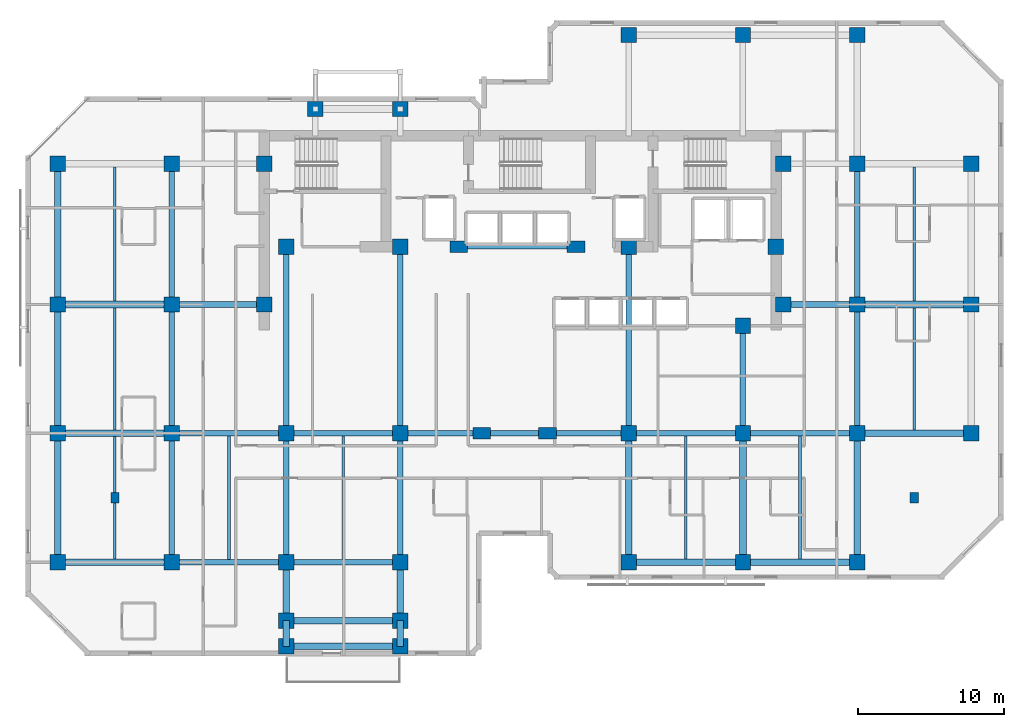
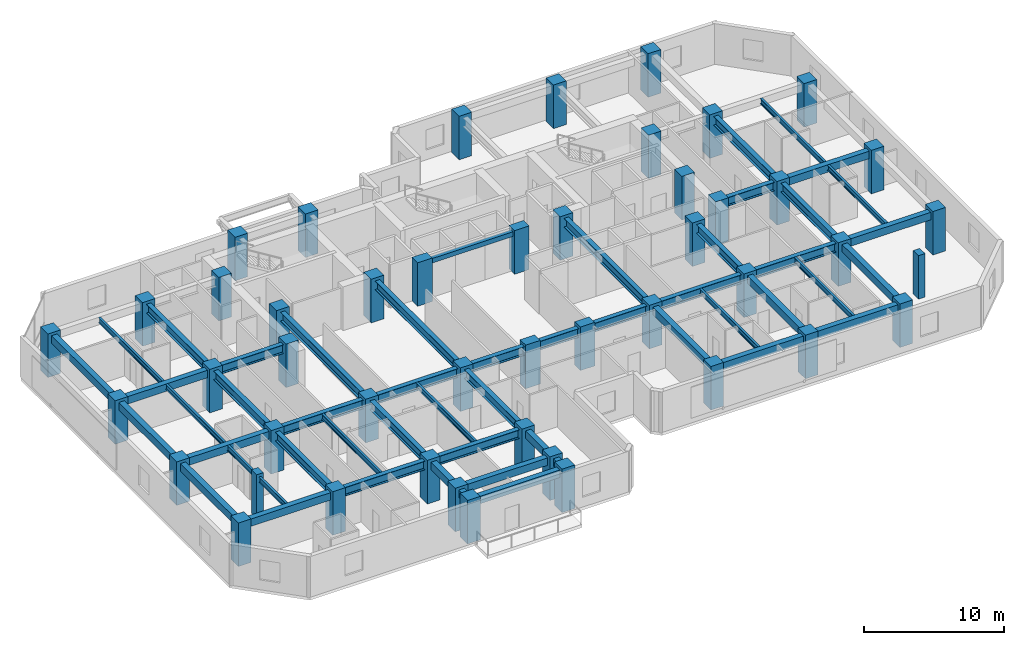
# One storey, part 1 of 11: 51 beams, 47 columns.
"""IFC4 building model written with IfcOpenShell, lengths in metres."""

import ifcopenshell
import ifcopenshell.guid

model = None  # the IFC model being written
_history = None  # IfcOwnerHistory: only IFC2X3 demands one
_inside = {}  # id of a spatial element -> (the spatial element, [elements in it])
_under = {}  # id of a project, library or spatial element -> (it, [spatial elements below it])
_declared = {}  # id of a project -> (the project, [libraries it declares])
_typed = {}  # id of a type object -> (the type object, [elements of that type])
_made_of = {}  # id of a material, layer set ... -> (it, [elements and type objects made of it])


def new_model(schema):
    """Start an empty IFC model of exactly this schema.

    Asked for "IFC4X3", IfcOpenShell would pick the latest addendum, in which some entities
    have other attributes; the version numbers below select the first issue.
    IFC2X3 requires an IfcOwnerHistory on every rooted entity: one is made here for all.
    """
    global model, _history
    if schema == "IFC4X3":
        model = ifcopenshell.file(schema_version=(4, 3, 0, 0))
    else:
        model = ifcopenshell.file(schema=schema)
    _inside.clear()
    _under.clear()
    _declared.clear()
    _typed.clear()
    _made_of.clear()
    _history = None
    if model.schema == "IFC2X3":
        org = make("IfcOrganization", Name="unknown")
        user = make(
            "IfcPersonAndOrganization",
            ThePerson=make("IfcPerson", FamilyName="unknown"),
            TheOrganization=org,
        )
        app = make(
            "IfcApplication",
            ApplicationDeveloper=org,
            Version="unknown",
            ApplicationFullName="unknown",
            ApplicationIdentifier="unknown",
        )
        _history = make(
            "IfcOwnerHistory",
            OwningUser=user,
            OwningApplication=app,
            ChangeAction="ADDED",
            CreationDate=0,
        )
    return model


def make(cls, **values):
    """One entity of the class cls with the attributes given. An attribute that is None is left unset."""
    return model.create_entity(
        cls, **{name: value for name, value in values.items() if value is not None}
    )


def rooted(cls, **values):
    """An entity with a GlobalId (a new one), such as an element, a storey or a relation."""
    return make(cls, GlobalId=ifcopenshell.guid.new(), OwnerHistory=_history, **values)


def si_unit(unit_type, name, prefix=None):
    """IfcSIUnit, for example si_unit("LENGTHUNIT", "METRE", prefix="MILLI")."""
    return make("IfcSIUnit", UnitType=unit_type, Prefix=prefix, Name=name)


def assignment(units):
    """IfcUnitAssignment: the units of a project."""
    return None if units is None else make("IfcUnitAssignment", Units=units)


def point(xyz):
    """IfcCartesianPoint."""
    return None if xyz is None else make("IfcCartesianPoint", Coordinates=xyz)


def direction(xyz):
    """IfcDirection."""
    return None if xyz is None else make("IfcDirection", DirectionRatios=xyz)


def frame(location, z_axis=None, x_axis=None):
    """IfcAxis2Placement3D, a coordinate frame: its origin and axes. An axis left out is left unset."""
    return make(
        "IfcAxis2Placement3D",
        Location=point(location),
        Axis=direction(z_axis),
        RefDirection=direction(x_axis),
    )


def frame_2d(location, x_axis=None):
    """IfcAxis2Placement2D, a coordinate frame in the plane: its origin and x axis."""
    return make(
        "IfcAxis2Placement2D", Location=point(location), RefDirection=direction(x_axis)
    )


def origin():
    """The frame at (0, 0, 0) with its axes left unset."""
    return frame((0.0, 0.0, 0.0))


def origin_2d():
    """The frame at (0, 0) in the plane with its x axis left unset."""
    return frame_2d((0.0, 0.0))


def place(relative_to, where):
    """IfcLocalPlacement: puts the frame where relative to a parent placement (None: the world)."""
    return make(
        "IfcLocalPlacement", PlacementRelTo=relative_to, RelativePlacement=where
    )


def context(
    kind, dimensions, precision=None, world=None, true_north=None, identifier=None
):
    """IfcGeometricRepresentationContext, for example the 3D "Model" context."""
    return make(
        "IfcGeometricRepresentationContext",
        ContextIdentifier=identifier,
        ContextType=kind,
        CoordinateSpaceDimension=dimensions,
        Precision=precision,
        WorldCoordinateSystem=world,
        TrueNorth=true_north,
    )


def subcontext(parent, identifier, kind, view, scale=None):
    """IfcGeometricRepresentationSubContext, for example "Body" below "Model"."""
    return make(
        "IfcGeometricRepresentationSubContext",
        ContextIdentifier=identifier,
        ContextType=kind,
        ParentContext=parent,
        TargetScale=scale,
        TargetView=view,
    )


def project(units=None, contexts=None):
    """IfcProject with its units and contexts."""
    return rooted(
        "IfcProject",
        Name="project",
        RepresentationContexts=contexts,
        UnitsInContext=assignment(units),
    )


def spatial(cls, under=None, at=None, **own):
    """A site, building, storey or space (cls), placed at a placement, below another one or the project."""
    s = rooted(cls, ObjectPlacement=at, **own)
    if under is not None:
        _under.setdefault(under.id(), (under, []))[1].append(s)
    return s


def profile(cls, at=None, kind="AREA", **sizes):
    """A parametric profile (cls). Its sizes go by their IFC names, for example OverallWidth=200.0."""
    return make(cls, ProfileType=kind, Position=at, **sizes)


def rectangle(**sizes):
    """IfcRectangleProfileDef."""
    return profile("IfcRectangleProfileDef", **sizes)


def i_section(**sizes):
    """IfcIShapeProfileDef."""
    return profile("IfcIShapeProfileDef", **sizes)


def extrude(swept, where, along, depth):
    """IfcExtrudedAreaSolid: the profile swept, set in the frame where, extruded along a direction by depth."""
    return make(
        "IfcExtrudedAreaSolid",
        SweptArea=swept,
        Position=where,
        ExtrudedDirection=direction(along),
        Depth=depth,
    )


def shape(context_of_items, identifier, shape_type, items):
    """IfcShapeRepresentation: the items that make up one representation, for example the "Body"."""
    return make(
        "IfcShapeRepresentation",
        ContextOfItems=context_of_items,
        RepresentationIdentifier=identifier,
        RepresentationType=shape_type,
        Items=items,
    )


def material(Name=None, Category=None):
    """IfcMaterial."""
    return make("IfcMaterial", Name=Name, Category=Category)


def material_profile(
    of_material, cross_section, Name=None, Category=None, Priority=None
):
    """IfcMaterialProfile: a cross section and its material."""
    return make(
        "IfcMaterialProfile",
        Name=Name,
        Material=of_material,
        Profile=cross_section,
        Priority=Priority,
        Category=Category,
    )


def profile_set(profiles, Name=None, composite=None):
    """IfcMaterialProfileSet."""
    return make(
        "IfcMaterialProfileSet",
        Name=Name,
        MaterialProfiles=profiles,
        CompositeProfile=composite,
    )


def made_of(thing, what):
    """Note that an element or type object is made of a material, layer set ...; save() writes the relation."""
    if what is not None:
        _made_of.setdefault(what.id(), (what, []))[1].append(thing)
    return thing


def type_object(cls, material=None, **own):
    """A type object (cls), such as IfcWallType, which elements share."""
    return made_of(rooted(cls, **own), material)


def element(
    cls,
    number,
    at=None,
    inside=None,
    cuts=None,
    type_object=None,
    material=None,
    context=None,
    identifier="Body",
    shape_type=None,
    held_by="IfcProductDefinitionShape",
    body=None,
    shapes=None,
    **own,
):
    """One element of the class cls, such as IfcWall. Its Tag is "e" and its number.

    at: its placement. inside: the storey or other place that contains it. cuts: it is an
    opening in that element (IfcRelVoidsElement). A single representation is given by context,
    identifier, shape_type and body (its items); several are given by shapes. held_by: the class
    of the entity that holds the representations. save() writes the other relations.
    """
    e = rooted(cls, Tag="e%d" % number, ObjectPlacement=at, **own)
    if body is not None:
        shapes = [shape(context, identifier, shape_type, body)]
    if shapes is not None:
        e.Representation = make(held_by, Representations=shapes)
    if inside is not None:
        _inside.setdefault(inside.id(), (inside, []))[1].append(e)
    if cuts is not None:
        rooted(
            "IfcRelVoidsElement", RelatingBuildingElement=cuts, RelatedOpeningElement=e
        )
    if type_object is not None:
        _typed.setdefault(type_object.id(), (type_object, []))[1].append(e)
    return made_of(e, material)


def aggregate(whole, parts):
    """IfcRelAggregates: a whole, such as a stair, and the parts it consists of."""
    return rooted("IfcRelAggregates", RelatingObject=whole, RelatedObjects=parts)


def save(model, path):
    """Write the relations noted so far, then the file.

    IfcRelAggregates (storeys below a building ...), IfcRelContainedInSpatialStructure (elements
    in a storey), IfcRelDefinesByType, IfcRelAssociatesMaterial and IfcRelDeclares: one each for
    every whole, place, type object, material and project.
    """
    for whole, parts in _under.values():
        aggregate(whole, parts)
    for where, things in _inside.values():
        rooted(
            "IfcRelContainedInSpatialStructure",
            RelatedElements=things,
            RelatingStructure=where,
        )
    for kind, things in _typed.values():
        rooted("IfcRelDefinesByType", RelatedObjects=things, RelatingType=kind)
    for what, things in _made_of.values():
        rooted("IfcRelAssociatesMaterial", RelatedObjects=things, RelatingMaterial=what)
    for by, libraries in _declared.values():
        rooted("IfcRelDeclares", RelatingContext=by, RelatedDefinitions=libraries)
    model.write(path)


model = new_model("IFC4")

# Units and contexts
model_context = context("Model", 3, precision=1e-05, world=origin(), true_north=direction((0.0, 1.0)))
body_context = subcontext(model_context, "Body", "Model", "MODEL_VIEW")
ifc_project = project(units=[si_unit("LENGTHUNIT", "METRE"), si_unit("AREAUNIT", "SQUARE_METRE"), si_unit("VOLUMEUNIT", "CUBIC_METRE"), si_unit("PLANEANGLEUNIT", "RADIAN"), si_unit("MASSUNIT", "GRAM", prefix="KILO")], contexts=[model_context])

# Site, building, storey
site_placement = place(None, origin())
site = spatial("IfcSite", under=ifc_project, at=site_placement, CompositionType="ELEMENT")
building_placement = place(site_placement, origin())
building = spatial("IfcBuilding", under=site, at=building_placement, Name="Kestravale Grand Hotel", CompositionType="ELEMENT")
storey_placement = place(building_placement, frame((0.0, 0.0, 172.60009765625)))
storey = spatial("IfcBuildingStorey", under=building, at=storey_placement, Name="L43", CompositionType="ELEMENT", Elevation=172.60009765625)

# Columns
ifc_material_1 = material(Name="Concrete f'c 60 MPa", Category="concrete")
ifc_material_profile_1 = material_profile(ifc_material_1, rectangle(XDim=1.050048828125, YDim=1.050048828125, at=origin_2d()))
ifc_profile_set_1 = profile_set([ifc_material_profile_1], Name="Concrete f'c 60 MPa")
column_type_1 = type_object("IfcColumnType", Name="C-Z3-1050", PredefinedType="COLUMN", material=ifc_profile_set_1)
for number, where, z_axis, x_axis, name in (
    (1, (7.800048828125, 11.199951171875, 0.0), (0.0, 0.0, 1.0), (1.0, 0.0, 0.0), "L43 column 2-C"),
    (2, (7.800048828125, 20.0, 0.0), (0.0, 0.0, 1.0), (1.0, 0.0, 0.0), "L43 column 2-D"),
    (3, (7.800048828125, 28.800048828125, 0.0), (0.0, 0.0, 1.0), (1.0, 0.0, 0.0), "L43 column 2-E"),
    (4, (7.800048828125, 38.39990234375, 0.0), (0.0, 0.0, 1.0), (1.0, 0.0, 0.0), "L43 column 2-F"),
    (5, (15.60009765625, 11.199951171875, 0.0), (0.0, 0.0, 1.0), (1.0, 0.0, 0.0), "L43 column 3-C"),
    (6, (15.60009765625, 20.0, 0.0), (0.0, 0.0, 1.0), (1.0, 0.0, 0.0), "L43 column 3-D"),
    (7, (15.60009765625, 28.800048828125, 0.0), (0.0, 0.0, 1.0), (1.0, 0.0, 0.0), "L43 column 3-E"),
    (8, (15.60009765625, 38.39990234375, 0.0), (0.0, 0.0, 1.0), (1.0, 0.0, 0.0), "L43 column 3-F"),
    (9, (23.39990234375, 11.199951171875, 0.0), (0.0, 0.0, 1.0), (1.0, 0.0, 0.0), "L43 column 4-C"),
    (10, (23.39990234375, 20.0, 0.0), (0.0, 0.0, 1.0), (1.0, 0.0, 0.0), "L43 column 4-D"),
    (11, (31.199951171875, 11.199951171875, 0.0), (0.0, 0.0, 1.0), (1.0, 0.0, 0.0), "L43 column 5-C"),
    (12, (31.199951171875, 20.0, 0.0), (0.0, 0.0, 1.0), (1.0, 0.0, 0.0), "L43 column 5-D"),
    (13, (46.800048828125, 11.199951171875, 0.0), (0.0, 0.0, 1.0), (1.0, 0.0, 0.0), "L43 column 8-C"),
    (14, (46.800048828125, 20.0, 0.0), (0.0, 0.0, 1.0), (1.0, 0.0, 0.0), "L43 column 8-D"),
    (15, (46.800048828125, 47.199951171875, 0.0), (0.0, 0.0, 1.0), (1.0, 0.0, 0.0), "L43 column 8-G"),
    (16, (54.60009765625, 11.199951171875, 0.0), (0.0, 0.0, 1.0), (1.0, 0.0, 0.0), "L43 column 9-C"),
    (17, (54.60009765625, 20.0, 0.0), (0.0, 0.0, 1.0), (1.0, 0.0, 0.0), "L43 column 9-D"),
    (18, (54.60009765625, 47.199951171875, 0.0), (0.0, 0.0, 1.0), (1.0, 0.0, 0.0), "L43 column 9-G"),
    (19, (62.39990234375, 11.199951171875, 0.0), (0.0, 0.0, 1.0), (1.0, 0.0, 0.0), "L43 column 10-C"),
    (20, (62.39990234375, 20.0, 0.0), (0.0, 0.0, 1.0), (1.0, 0.0, 0.0), "L43 column 10-D"),
    (21, (62.39990234375, 28.800048828125, 0.0), (0.0, 0.0, 1.0), (1.0, 0.0, 0.0), "L43 column 10-E"),
    (22, (62.39990234375, 38.39990234375, 0.0), (0.0, 0.0, 1.0), (1.0, 0.0, 0.0), "L43 column 10-F"),
    (23, (62.39990234375, 47.199951171875, 0.0), (0.0, 0.0, 1.0), (1.0, 0.0, 0.0), "L43 column 10-G"),
    (24, (70.199951171875, 20.0, 0.0), (0.0, 0.0, 1.0), (1.0, 0.0, 0.0), "L43 column 11-D"),
    (25, (70.199951171875, 28.800048828125, 0.0), (0.0, 0.0, 1.0), (1.0, 0.0, 0.0), "L43 column 11-E"),
    (26, (70.199951171875, 38.39990234375, 0.0), (0.0, 0.0, 1.0), (1.0, 0.0, 0.0), "L43 column 11-F"),
    (27, (21.89990234375, 28.800048828125, 0.0), (0.0, 0.0, 1.0), (1.0, 0.0, 0.0), "L43 column CW-E"),
    (28, (21.89990234375, 38.39990234375, 0.0), (0.0, 0.0, 1.0), (1.0, 0.0, 0.0), "L43 column CW-F"),
    (29, (57.35009765625, 28.800048828125, 0.0), (0.0, 0.0, 1.0), (1.0, 0.0, 0.0), "L43 column CE-E"),
    (30, (57.35009765625, 38.39990234375, 0.0), (0.0, 0.0, 1.0), (1.0, 0.0, 0.0), "L43 column CE-F"),
    (31, (23.39990234375, 32.75, 0.0), (0.0, 0.0, 1.0), (1.0, 0.0, 0.0), "L43 column 4-CS"),
    (32, (31.199951171875, 32.75, 0.0), (0.0, 0.0, 1.0), (1.0, 0.0, 0.0), "L43 column 5-CS"),
    (33, (46.800048828125, 32.75, 0.0), (0.0, 0.0, 1.0), (1.0, 0.0, 0.0), "L43 column 8-CS"),
    (34, (54.60009765625, 27.35009765625, 0.0), (0.0, 0.0, 1.0), (1.0, 0.0, 0.0), "L43 column 9-CS"),
    (35, (56.85009765625, 32.75, 0.0), (0.0, 0.0, 1.0), (1.0, 0.0, 0.0), "L43 column 9C-CS"),
    (36, (23.39990234375, 7.199951171875, 0.0), (0.0, 0.0, 1.0), (1.0, 0.0, 0.0), "L43 column 4-BS"),
    (37, (31.199951171875, 7.199951171875, 0.0), (0.0, 0.0, 1.0), (1.0, 0.0, 0.0), "L43 column 5-BS"),
    (38, (25.39990234375, 42.14990234375, 0.0), (0.0, 0.0, 1.0), (1.0, 0.0, 0.0), "L43 column 4-FN"),
    (39, (31.199951171875, 42.14990234375, 0.0), (0.0, 0.0, 1.0), (1.0, 0.0, 0.0), "L43 column 5-FN"),
    (40, (23.39990234375, 5.449951171875, 0.0), (0.0, 0.0, 1.0), (1.0, 0.0, 0.0), "L43 column 4-B1S"),
    (41, (31.199951171875, 5.449951171875, 0.0), (0.0, 0.0, 1.0), (1.0, 0.0, 0.0), "L43 column 5-B1S"),
):
    element("IfcColumn", number, at=place(storey_placement, frame(where, z_axis=z_axis, x_axis=x_axis)), inside=storey, type_object=column_type_1, Name=name, PredefinedType="COLUMN", context=body_context, shape_type="SweptSolid", body=[
        extrude(rectangle(XDim=1.050048828125, YDim=1.050048828125, at=origin_2d()), origin(), (0.0, 0.0, 1.0), 3.7998046875),
    ])
ifc_material_2 = material(Name="Concrete f'c 60 MPa", Category="concrete")
ifc_material_profile_2 = material_profile(ifc_material_2, rectangle(XDim=1.199951171875, YDim=0.800048828125, at=origin_2d()))
ifc_profile_set_2 = profile_set([ifc_material_profile_2], Name="Concrete f'c 60 MPa")
column_type_2 = type_object("IfcColumnType", Name="C-Z3-1200X800", PredefinedType="COLUMN", material=ifc_profile_set_2)
for number, where, z_axis, x_axis, name in (
    (42, (36.75, 20.0, 0.0), (0.0, 0.0, 1.0), (1.0, 0.0, 0.0), "L43 column 6-D"),
    (43, (41.25, 20.0, 0.0), (0.0, 0.0, 1.0), (1.0, 0.0, 0.0), "L43 column 7-D"),
    (44, (35.199951171875, 32.75, 0.0), (0.0, 0.0, 1.0), (1.0, 0.0, 0.0), "L43 column 6C-CS"),
    (45, (43.199951171875, 32.75, 0.0), (0.0, 0.0, 1.0), (1.0, 0.0, 0.0), "L43 column 7C-CS"),
):
    element("IfcColumn", number, at=place(storey_placement, frame(where, z_axis=z_axis, x_axis=x_axis)), inside=storey, type_object=column_type_2, Name=name, PredefinedType="COLUMN", context=body_context, shape_type="SweptSolid", body=[
        extrude(rectangle(XDim=1.199951171875, YDim=0.800048828125, at=origin_2d()), origin(), (0.0, 0.0, 1.0), 3.7998046875),
    ])
ifc_material_3 = material(Name="Precast concrete f'c 45 MPa", Category="concrete")
ifc_material_profile_3 = material_profile(ifc_material_3, rectangle(XDim=0.550048828125, YDim=0.75, at=origin_2d()))
ifc_profile_set_3 = profile_set([ifc_material_profile_3], Name="Precast concrete f'c 45 MPa")
column_type_3 = type_object("IfcColumnType", Name="C-Z3-PIL750", PredefinedType="PILASTER", material=ifc_profile_set_3)
for number, where, z_axis, x_axis, name in (
    (46, (11.699951171875, 15.60009765625, 0.0), (0.0, 0.0, 1.0), (1.0, 0.0, 0.0), "L43 Art Deco fluted pilaster P1"),
    (47, (66.300048828125, 15.60009765625, 0.0), (0.0, 0.0, 1.0), (1.0, 0.0, 0.0), "L43 Art Deco fluted pilaster P2"),
):
    element("IfcColumn", number, at=place(storey_placement, frame(where, z_axis=z_axis, x_axis=x_axis)), inside=storey, type_object=column_type_3, Name=name, PredefinedType="PILASTER", context=body_context, shape_type="SweptSolid", body=[
        extrude(rectangle(XDim=0.550048828125, YDim=0.75, at=origin_2d()), origin(), (0.0, 0.0, 1.0), 3.7998046875),
    ])

# Beams
ifc_material_4 = material(Name="Steel ASTM A992 Grade 50", Category="steel")
ifc_material_profile_4 = material_profile(ifc_material_4, i_section(OverallWidth=0.19091796875, OverallDepth=0.45703125, WebThickness=0.009033203125, FlangeThickness=0.014404296875, FilletRadius=0.015380859375, at=origin_2d()))
ifc_profile_set_4 = profile_set([ifc_material_profile_4], Name="Steel ASTM A992 Grade 50")
beam_type_1 = type_object("IfcBeamType", Name="B-FLR-JST18", PredefinedType="JOIST", material=ifc_profile_set_4)
for number, where, z_axis, x_axis, name in (
    (48, (11.699951171875, 11.425048828125, 3.3212890625), (0.0, 1.0, 0.0), (-1.0, 0.0, 0.0), "L43 floor joist 2-3/C-D #1"),
    (49, (11.699951171875, 20.22509765625, 3.3212890625), (0.0, 1.0, 0.0), (-1.0, 0.0, 0.0), "L43 floor joist 2-3/D-E #1"),
):
    element("IfcBeam", number, at=place(storey_placement, frame(where, z_axis=z_axis, x_axis=x_axis)), inside=storey, type_object=beam_type_1, Name=name, PredefinedType="JOIST", context=body_context, shape_type="SweptSolid", body=[
        extrude(i_section(OverallWidth=0.19091796875, OverallDepth=0.45703125, WebThickness=0.009033203125, FlangeThickness=0.014404296875, FilletRadius=0.015380859375, at=origin_2d()), origin(), (0.0, 0.0, 1.0), 8.349853515625),
    ])
beam_1_placement = place(storey_placement, frame((11.699951171875, 29.02490234375, 3.3212890625), z_axis=(0.0, 1.0, 0.0), x_axis=(-1.0, 0.0, 0.0)))
element("IfcBeam", 50, at=beam_1_placement, inside=storey, type_object=beam_type_1, Name="L43 floor joist 2-3/E-F #1", PredefinedType="JOIST", context=body_context, shape_type="SweptSolid", body=[
    extrude(i_section(OverallWidth=0.19091796875, OverallDepth=0.45703125, WebThickness=0.009033203125, FlangeThickness=0.014404296875, FilletRadius=0.015380859375, at=origin_2d()), origin(), (0.0, 0.0, 1.0), 9.150146484375),
])
for number, where, z_axis, x_axis, name in (
    (51, (19.5, 11.390380859375, 3.3212890625), (0.0, 1.0, 0.0), (-1.0, 0.0, 0.0), "L43 floor joist 3-4/C-D #1"),
    (52, (27.300048828125, 11.390380859375, 3.3212890625), (0.0, 1.0, 0.0), (-1.0, 0.0, 0.0), "L43 floor joist 4-5/C-D #1"),
):
    element("IfcBeam", number, at=place(storey_placement, frame(where, z_axis=z_axis, x_axis=x_axis)), inside=storey, type_object=beam_type_1, Name=name, PredefinedType="JOIST", context=body_context, shape_type="SweptSolid", body=[
        extrude(i_section(OverallWidth=0.19091796875, OverallDepth=0.45703125, WebThickness=0.009033203125, FlangeThickness=0.014404296875, FilletRadius=0.015380859375, at=origin_2d()), origin(), (0.0, 0.0, 1.0), 8.419189453125),
    ])
for number, where, z_axis, x_axis, name in (
    (53, (50.699951171875, 11.425048828125, 3.3212890625), (0.0, 1.0, 0.0), (-1.0, 0.0, 0.0), "L43 floor joist 8-9/C-D #1"),
    (54, (58.5, 11.425048828125, 3.3212890625), (0.0, 1.0, 0.0), (-1.0, 0.0, 0.0), "L43 floor joist 9-10/C-D #1"),
):
    element("IfcBeam", number, at=place(storey_placement, frame(where, z_axis=z_axis, x_axis=x_axis)), inside=storey, type_object=beam_type_1, Name=name, PredefinedType="JOIST", context=body_context, shape_type="SweptSolid", body=[
        extrude(i_section(OverallWidth=0.19091796875, OverallDepth=0.45703125, WebThickness=0.009033203125, FlangeThickness=0.014404296875, FilletRadius=0.015380859375, at=origin_2d()), origin(), (0.0, 0.0, 1.0), 8.384521484375),
    ])
beam_2_placement = place(storey_placement, frame((66.300048828125, 20.22509765625, 3.3212890625), z_axis=(0.0, 1.0, 0.0), x_axis=(-1.0, 0.0, 0.0)))
element("IfcBeam", 55, at=beam_2_placement, inside=storey, type_object=beam_type_1, Name="L43 floor joist 10-11/D-E #1", PredefinedType="JOIST", context=body_context, shape_type="SweptSolid", body=[
    extrude(i_section(OverallWidth=0.19091796875, OverallDepth=0.45703125, WebThickness=0.009033203125, FlangeThickness=0.014404296875, FilletRadius=0.015380859375, at=origin_2d()), origin(), (0.0, 0.0, 1.0), 8.349853515625),
])
beam_3_placement = place(storey_placement, frame((66.300048828125, 29.02490234375, 3.3212890625), z_axis=(0.0, 1.0, 0.0), x_axis=(-1.0, 0.0, 0.0)))
element("IfcBeam", 56, at=beam_3_placement, inside=storey, type_object=beam_type_1, Name="L43 floor joist 10-11/E-F #1", PredefinedType="JOIST", context=body_context, shape_type="SweptSolid", body=[
    extrude(i_section(OverallWidth=0.19091796875, OverallDepth=0.45703125, WebThickness=0.009033203125, FlangeThickness=0.014404296875, FilletRadius=0.015380859375, at=origin_2d()), origin(), (0.0, 0.0, 1.0), 9.150146484375),
])
ifc_material_5 = material(Name="Concrete f'c 45 MPa", Category="concrete")
ifc_material_profile_5 = material_profile(ifc_material_5, rectangle(XDim=0.300048828125, YDim=0.39990234375, at=origin_2d()))
ifc_profile_set_5 = profile_set([ifc_material_profile_5], Name="Concrete f'c 45 MPa")
beam_type_2 = type_object("IfcBeamType", Name="B-FLR-LNT400", PredefinedType="LINTEL", material=ifc_profile_set_5)
beam_4_placement = place(storey_placement, frame((35.199951171875, 32.75, 3.349853515625), z_axis=(1.0, 0.0, 0.0), x_axis=(0.0, 1.0, 0.0)))
element("IfcBeam", 57, at=beam_4_placement, inside=storey, type_object=beam_type_2, Name="L43 core portal header lintel", PredefinedType="LINTEL", context=body_context, shape_type="SweptSolid", body=[
    extrude(rectangle(XDim=0.300048828125, YDim=0.39990234375, at=origin_2d()), origin(), (0.0, 0.0, 1.0), 8.0),
])
ifc_material_6 = material(Name="Concrete f'c 45 MPa", Category="concrete")
ifc_material_profile_6 = material_profile(ifc_material_6, rectangle(XDim=0.449951171875, YDim=0.64990234375, at=origin_2d()))
ifc_profile_set_6 = profile_set([ifc_material_profile_6], Name="Concrete f'c 45 MPa")
beam_type_3 = type_object("IfcBeamType", Name="B-FLR-RC650", PredefinedType="SPANDREL", material=ifc_profile_set_6)
for number, where, z_axis, x_axis, name in (
    (58, (7.800048828125, 11.199951171875, 3.224853515625), (1.0, 0.0, 0.0), (0.0, 1.0, 0.0), "L43 spandrel C:2-3"),
    (59, (46.800048828125, 11.199951171875, 3.224853515625), (1.0, 0.0, 0.0), (0.0, 1.0, 0.0), "L43 spandrel C:8-9"),
):
    element("IfcBeam", number, at=place(storey_placement, frame(where, z_axis=z_axis, x_axis=x_axis)), inside=storey, type_object=beam_type_3, Name=name, PredefinedType="SPANDREL", context=body_context, shape_type="SweptSolid", body=[
        extrude(rectangle(XDim=0.449951171875, YDim=0.64990234375, at=origin_2d()), origin(), (0.0, 0.0, 1.0), 7.800048828125),
    ])
beam_5_placement = place(storey_placement, frame((54.60009765625, 11.199951171875, 3.224853515625), z_axis=(1.0, 0.0, 0.0), x_axis=(0.0, 1.0, 0.0)))
element("IfcBeam", 60, at=beam_5_placement, inside=storey, type_object=beam_type_3, Name="L43 spandrel C:9-10", PredefinedType="SPANDREL", context=body_context, shape_type="SweptSolid", body=[
    extrude(rectangle(XDim=0.449951171875, YDim=0.64990234375, at=origin_2d()), origin(), (0.0, 0.0, 1.0), 7.7998046875),
])
for number, where, z_axis, x_axis, name in (
    (61, (7.800048828125, 20.0, 3.224853515625), (1.0, 0.0, 0.0), (0.0, 1.0, 0.0), "L43 spandrel D:2-3"),
    (62, (62.39990234375, 20.0, 3.224853515625), (1.0, 0.0, 0.0), (0.0, 1.0, 0.0), "L43 spandrel D:10-11"),
    (63, (7.800048828125, 28.800048828125, 3.224853515625), (1.0, 0.0, 0.0), (0.0, 1.0, 0.0), "L43 spandrel E:2-3"),
    (64, (62.39990234375, 28.800048828125, 3.224853515625), (1.0, 0.0, 0.0), (0.0, 1.0, 0.0), "L43 spandrel E:10-11"),
    (65, (23.39990234375, 5.449951171875, 3.224853515625), (1.0, 0.0, 0.0), (0.0, 1.0, 0.0), "L43 perimeter tie spandrel B1S:4-5"),
    (66, (23.39990234375, 7.199951171875, 3.224853515625), (1.0, 0.0, 0.0), (0.0, 1.0, 0.0), "L43 perimeter tie spandrel BS:4-5"),
):
    element("IfcBeam", number, at=place(storey_placement, frame(where, z_axis=z_axis, x_axis=x_axis)), inside=storey, type_object=beam_type_3, Name=name, PredefinedType="SPANDREL", context=body_context, shape_type="SweptSolid", body=[
        extrude(rectangle(XDim=0.449951171875, YDim=0.64990234375, at=origin_2d()), origin(), (0.0, 0.0, 1.0), 7.800048828125),
    ])
for number, where, z_axis, x_axis, name in (
    (67, (7.800048828125, 11.199951171875, 3.224853515625), (0.0, 1.0, 0.0), (-1.0, 0.0, 0.0), "L43 spandrel 2:C-D"),
    (68, (7.800048828125, 20.0, 3.224853515625), (0.0, 1.0, 0.0), (-1.0, 0.0, 0.0), "L43 spandrel 2:D-E"),
):
    element("IfcBeam", number, at=place(storey_placement, frame(where, z_axis=z_axis, x_axis=x_axis)), inside=storey, type_object=beam_type_3, Name=name, PredefinedType="SPANDREL", context=body_context, shape_type="SweptSolid", body=[
        extrude(rectangle(XDim=0.449951171875, YDim=0.64990234375, at=origin_2d()), origin(), (0.0, 0.0, 1.0), 8.800048828125),
    ])
beam_6_placement = place(storey_placement, frame((7.800048828125, 28.800048828125, 3.224853515625), z_axis=(0.0, 1.0, 0.0), x_axis=(-1.0, 0.0, 0.0)))
element("IfcBeam", 69, at=beam_6_placement, inside=storey, type_object=beam_type_3, Name="L43 spandrel 2:E-F", PredefinedType="SPANDREL", context=body_context, shape_type="SweptSolid", body=[
    extrude(rectangle(XDim=0.449951171875, YDim=0.64990234375, at=origin_2d()), origin(), (0.0, 0.0, 1.0), 9.599853515625),
])
beam_7_placement = place(storey_placement, frame((23.39990234375, 5.449951171875, 3.224853515625), z_axis=(0.0, 1.0, 0.0), x_axis=(-1.0, 0.0, 0.0)))
element("IfcBeam", 70, at=beam_7_placement, inside=storey, type_object=beam_type_3, Name="L43 spandrel 4:B1S-BS", PredefinedType="SPANDREL", context=body_context, shape_type="SweptSolid", body=[
    extrude(rectangle(XDim=0.449951171875, YDim=0.64990234375, at=origin_2d()), origin(), (0.0, 0.0, 1.0), 1.75),
])
beam_8_placement = place(storey_placement, frame((23.39990234375, 7.199951171875, 3.224853515625), z_axis=(0.0, 1.0, 0.0), x_axis=(-1.0, 0.0, 0.0)))
element("IfcBeam", 71, at=beam_8_placement, inside=storey, type_object=beam_type_3, Name="L43 spandrel 4:BS-C", PredefinedType="SPANDREL", context=body_context, shape_type="SweptSolid", body=[
    extrude(rectangle(XDim=0.449951171875, YDim=0.64990234375, at=origin_2d()), origin(), (0.0, 0.0, 1.0), 4.0),
])
beam_9_placement = place(storey_placement, frame((31.199951171875, 5.449951171875, 3.224853515625), z_axis=(0.0, 1.0, 0.0), x_axis=(-1.0, 0.0, 0.0)))
element("IfcBeam", 72, at=beam_9_placement, inside=storey, type_object=beam_type_3, Name="L43 spandrel 5:B1S-BS", PredefinedType="SPANDREL", context=body_context, shape_type="SweptSolid", body=[
    extrude(rectangle(XDim=0.449951171875, YDim=0.64990234375, at=origin_2d()), origin(), (0.0, 0.0, 1.0), 1.75),
])
beam_10_placement = place(storey_placement, frame((31.199951171875, 7.199951171875, 3.224853515625), z_axis=(0.0, 1.0, 0.0), x_axis=(-1.0, 0.0, 0.0)))
element("IfcBeam", 73, at=beam_10_placement, inside=storey, type_object=beam_type_3, Name="L43 spandrel 5:BS-C", PredefinedType="SPANDREL", context=body_context, shape_type="SweptSolid", body=[
    extrude(rectangle(XDim=0.449951171875, YDim=0.64990234375, at=origin_2d()), origin(), (0.0, 0.0, 1.0), 4.0),
])
for number, where, z_axis, x_axis, name in (
    (74, (46.800048828125, 11.199951171875, 3.224853515625), (0.0, 1.0, 0.0), (-1.0, 0.0, 0.0), "L43 spandrel 8:C-D"),
    (75, (54.60009765625, 11.199951171875, 3.224853515625), (0.0, 1.0, 0.0), (-1.0, 0.0, 0.0), "L43 spandrel 9:C-D"),
    (76, (62.39990234375, 11.199951171875, 3.224853515625), (0.0, 1.0, 0.0), (-1.0, 0.0, 0.0), "L43 spandrel 10:C-D"),
):
    element("IfcBeam", number, at=place(storey_placement, frame(where, z_axis=z_axis, x_axis=x_axis)), inside=storey, type_object=beam_type_3, Name=name, PredefinedType="SPANDREL", context=body_context, shape_type="SweptSolid", body=[
        extrude(rectangle(XDim=0.449951171875, YDim=0.64990234375, at=origin_2d()), origin(), (0.0, 0.0, 1.0), 8.800048828125),
    ])
ifc_material_7 = material(Name="Steel ASTM A992 Grade 50", Category="steel")
ifc_material_profile_7 = material_profile(ifc_material_7, i_section(OverallWidth=0.381103515625, OverallDepth=0.77197265625, WebThickness=0.0166015625, FlangeThickness=0.027099609375, FilletRadius=0.023681640625, at=origin_2d()))
ifc_profile_set_7 = profile_set([ifc_material_profile_7], Name="Steel ASTM A992 Grade 50")
beam_type_4 = type_object("IfcBeamType", Name="B-GRD-W30", PredefinedType="BEAM", material=ifc_profile_set_7)
beam_11_placement = place(storey_placement, frame((15.60009765625, 11.199951171875, 3.163818359375), z_axis=(1.0, 0.0, 0.0), x_axis=(0.0, 1.0, 0.0)))
element("IfcBeam", 77, at=beam_11_placement, inside=storey, type_object=beam_type_4, Name="L43 girder C:3-4", PredefinedType="BEAM", context=body_context, shape_type="SweptSolid", body=[
    extrude(i_section(OverallWidth=0.381103515625, OverallDepth=0.77197265625, WebThickness=0.0166015625, FlangeThickness=0.027099609375, FilletRadius=0.023681640625, at=origin_2d()), origin(), (0.0, 0.0, 1.0), 7.7998046875),
])
beam_12_placement = place(storey_placement, frame((23.39990234375, 11.199951171875, 3.163818359375), z_axis=(1.0, 0.0, 0.0), x_axis=(0.0, 1.0, 0.0)))
element("IfcBeam", 78, at=beam_12_placement, inside=storey, type_object=beam_type_4, Name="L43 girder C:4-5", PredefinedType="BEAM", context=body_context, shape_type="SweptSolid", body=[
    extrude(i_section(OverallWidth=0.381103515625, OverallDepth=0.77197265625, WebThickness=0.0166015625, FlangeThickness=0.027099609375, FilletRadius=0.023681640625, at=origin_2d()), origin(), (0.0, 0.0, 1.0), 7.800048828125),
])
beam_13_placement = place(storey_placement, frame((15.60009765625, 20.0, 3.163818359375), z_axis=(1.0, 0.0, 0.0), x_axis=(0.0, 1.0, 0.0)))
element("IfcBeam", 79, at=beam_13_placement, inside=storey, type_object=beam_type_4, Name="L43 girder D:3-4", PredefinedType="BEAM", context=body_context, shape_type="SweptSolid", body=[
    extrude(i_section(OverallWidth=0.381103515625, OverallDepth=0.77197265625, WebThickness=0.0166015625, FlangeThickness=0.027099609375, FilletRadius=0.023681640625, at=origin_2d()), origin(), (0.0, 0.0, 1.0), 7.7998046875),
])
beam_14_placement = place(storey_placement, frame((23.39990234375, 20.0, 3.163818359375), z_axis=(1.0, 0.0, 0.0), x_axis=(0.0, 1.0, 0.0)))
element("IfcBeam", 80, at=beam_14_placement, inside=storey, type_object=beam_type_4, Name="L43 girder D:4-5", PredefinedType="BEAM", context=body_context, shape_type="SweptSolid", body=[
    extrude(i_section(OverallWidth=0.381103515625, OverallDepth=0.77197265625, WebThickness=0.0166015625, FlangeThickness=0.027099609375, FilletRadius=0.023681640625, at=origin_2d()), origin(), (0.0, 0.0, 1.0), 7.800048828125),
])
beam_15_placement = place(storey_placement, frame((31.199951171875, 20.0, 3.163818359375), z_axis=(1.0, 0.0, 0.0), x_axis=(0.0, 1.0, 0.0)))
element("IfcBeam", 81, at=beam_15_placement, inside=storey, type_object=beam_type_4, Name="L43 girder D:5-6", PredefinedType="BEAM", context=body_context, shape_type="SweptSolid", body=[
    extrude(i_section(OverallWidth=0.381103515625, OverallDepth=0.77197265625, WebThickness=0.0166015625, FlangeThickness=0.027099609375, FilletRadius=0.023681640625, at=origin_2d()), origin(), (0.0, 0.0, 1.0), 5.550048828125),
])
beam_16_placement = place(storey_placement, frame((36.75, 20.0, 3.163818359375), z_axis=(1.0, 0.0, 0.0), x_axis=(0.0, 1.0, 0.0)))
element("IfcBeam", 82, at=beam_16_placement, inside=storey, type_object=beam_type_4, Name="L43 girder D:6-7", PredefinedType="BEAM", context=body_context, shape_type="SweptSolid", body=[
    extrude(i_section(OverallWidth=0.381103515625, OverallDepth=0.77197265625, WebThickness=0.0166015625, FlangeThickness=0.027099609375, FilletRadius=0.023681640625, at=origin_2d()), origin(), (0.0, 0.0, 1.0), 4.5),
])
beam_17_placement = place(storey_placement, frame((41.25, 20.0, 3.163818359375), z_axis=(1.0, 0.0, 0.0), x_axis=(0.0, 1.0, 0.0)))
element("IfcBeam", 83, at=beam_17_placement, inside=storey, type_object=beam_type_4, Name="L43 girder D:7-8", PredefinedType="BEAM", context=body_context, shape_type="SweptSolid", body=[
    extrude(i_section(OverallWidth=0.381103515625, OverallDepth=0.77197265625, WebThickness=0.0166015625, FlangeThickness=0.027099609375, FilletRadius=0.023681640625, at=origin_2d()), origin(), (0.0, 0.0, 1.0), 5.550048828125),
])
beam_18_placement = place(storey_placement, frame((46.800048828125, 20.0, 3.163818359375), z_axis=(1.0, 0.0, 0.0), x_axis=(0.0, 1.0, 0.0)))
element("IfcBeam", 84, at=beam_18_placement, inside=storey, type_object=beam_type_4, Name="L43 girder D:8-9", PredefinedType="BEAM", context=body_context, shape_type="SweptSolid", body=[
    extrude(i_section(OverallWidth=0.381103515625, OverallDepth=0.77197265625, WebThickness=0.0166015625, FlangeThickness=0.027099609375, FilletRadius=0.023681640625, at=origin_2d()), origin(), (0.0, 0.0, 1.0), 7.800048828125),
])
beam_19_placement = place(storey_placement, frame((54.60009765625, 20.0, 3.163818359375), z_axis=(1.0, 0.0, 0.0), x_axis=(0.0, 1.0, 0.0)))
element("IfcBeam", 85, at=beam_19_placement, inside=storey, type_object=beam_type_4, Name="L43 girder D:9-10", PredefinedType="BEAM", context=body_context, shape_type="SweptSolid", body=[
    extrude(i_section(OverallWidth=0.381103515625, OverallDepth=0.77197265625, WebThickness=0.0166015625, FlangeThickness=0.027099609375, FilletRadius=0.023681640625, at=origin_2d()), origin(), (0.0, 0.0, 1.0), 7.7998046875),
])
beam_20_placement = place(storey_placement, frame((15.60009765625, 28.800048828125, 3.163818359375), z_axis=(1.0, 0.0, 0.0), x_axis=(0.0, 1.0, 0.0)))
element("IfcBeam", 86, at=beam_20_placement, inside=storey, type_object=beam_type_4, Name="L43 girder E:3-CW", PredefinedType="BEAM", context=body_context, shape_type="SweptSolid", body=[
    extrude(i_section(OverallWidth=0.381103515625, OverallDepth=0.77197265625, WebThickness=0.0166015625, FlangeThickness=0.027099609375, FilletRadius=0.023681640625, at=origin_2d()), origin(), (0.0, 0.0, 1.0), 6.2998046875),
])
beam_21_placement = place(storey_placement, frame((57.35009765625, 28.800048828125, 3.163818359375), z_axis=(1.0, 0.0, 0.0), x_axis=(0.0, 1.0, 0.0)))
element("IfcBeam", 87, at=beam_21_placement, inside=storey, type_object=beam_type_4, Name="L43 girder E:CE-10", PredefinedType="BEAM", context=body_context, shape_type="SweptSolid", body=[
    extrude(i_section(OverallWidth=0.381103515625, OverallDepth=0.77197265625, WebThickness=0.0166015625, FlangeThickness=0.027099609375, FilletRadius=0.023681640625, at=origin_2d()), origin(), (0.0, 0.0, 1.0), 5.0498046875),
])
for number, where, z_axis, x_axis, name in (
    (88, (15.60009765625, 11.199951171875, 3.163818359375), (0.0, 1.0, 0.0), (-1.0, 0.0, 0.0), "L43 girder 3:C-D"),
    (89, (15.60009765625, 20.0, 3.163818359375), (0.0, 1.0, 0.0), (-1.0, 0.0, 0.0), "L43 girder 3:D-E"),
):
    element("IfcBeam", number, at=place(storey_placement, frame(where, z_axis=z_axis, x_axis=x_axis)), inside=storey, type_object=beam_type_4, Name=name, PredefinedType="BEAM", context=body_context, shape_type="SweptSolid", body=[
        extrude(i_section(OverallWidth=0.381103515625, OverallDepth=0.77197265625, WebThickness=0.0166015625, FlangeThickness=0.027099609375, FilletRadius=0.023681640625, at=origin_2d()), origin(), (0.0, 0.0, 1.0), 8.800048828125),
    ])
beam_22_placement = place(storey_placement, frame((15.60009765625, 28.800048828125, 3.163818359375), z_axis=(0.0, 1.0, 0.0), x_axis=(-1.0, 0.0, 0.0)))
element("IfcBeam", 90, at=beam_22_placement, inside=storey, type_object=beam_type_4, Name="L43 girder 3:E-F", PredefinedType="BEAM", context=body_context, shape_type="SweptSolid", body=[
    extrude(i_section(OverallWidth=0.381103515625, OverallDepth=0.77197265625, WebThickness=0.0166015625, FlangeThickness=0.027099609375, FilletRadius=0.023681640625, at=origin_2d()), origin(), (0.0, 0.0, 1.0), 9.599853515625),
])
beam_23_placement = place(storey_placement, frame((23.39990234375, 11.199951171875, 3.163818359375), z_axis=(0.0, 1.0, 0.0), x_axis=(-1.0, 0.0, 0.0)))
element("IfcBeam", 91, at=beam_23_placement, inside=storey, type_object=beam_type_4, Name="L43 girder 4:C-D", PredefinedType="BEAM", context=body_context, shape_type="SweptSolid", body=[
    extrude(i_section(OverallWidth=0.381103515625, OverallDepth=0.77197265625, WebThickness=0.0166015625, FlangeThickness=0.027099609375, FilletRadius=0.023681640625, at=origin_2d()), origin(), (0.0, 0.0, 1.0), 8.800048828125),
])
beam_24_placement = place(storey_placement, frame((23.39990234375, 20.0, 3.163818359375), z_axis=(0.0, 1.0, 0.0), x_axis=(-1.0, 0.0, 0.0)))
element("IfcBeam", 92, at=beam_24_placement, inside=storey, type_object=beam_type_4, Name="L43 girder 4:D-CS", PredefinedType="BEAM", context=body_context, shape_type="SweptSolid", body=[
    extrude(i_section(OverallWidth=0.381103515625, OverallDepth=0.77197265625, WebThickness=0.0166015625, FlangeThickness=0.027099609375, FilletRadius=0.023681640625, at=origin_2d()), origin(), (0.0, 0.0, 1.0), 12.75),
])
beam_25_placement = place(storey_placement, frame((31.199951171875, 11.199951171875, 3.163818359375), z_axis=(0.0, 1.0, 0.0), x_axis=(-1.0, 0.0, 0.0)))
element("IfcBeam", 93, at=beam_25_placement, inside=storey, type_object=beam_type_4, Name="L43 girder 5:C-D", PredefinedType="BEAM", context=body_context, shape_type="SweptSolid", body=[
    extrude(i_section(OverallWidth=0.381103515625, OverallDepth=0.77197265625, WebThickness=0.0166015625, FlangeThickness=0.027099609375, FilletRadius=0.023681640625, at=origin_2d()), origin(), (0.0, 0.0, 1.0), 8.800048828125),
])
for number, where, z_axis, x_axis, name in (
    (94, (31.199951171875, 20.0, 3.163818359375), (0.0, 1.0, 0.0), (-1.0, 0.0, 0.0), "L43 girder 5:D-CS"),
    (95, (46.800048828125, 20.0, 3.163818359375), (0.0, 1.0, 0.0), (-1.0, 0.0, 0.0), "L43 girder 8:D-CS"),
):
    element("IfcBeam", number, at=place(storey_placement, frame(where, z_axis=z_axis, x_axis=x_axis)), inside=storey, type_object=beam_type_4, Name=name, PredefinedType="BEAM", context=body_context, shape_type="SweptSolid", body=[
        extrude(i_section(OverallWidth=0.381103515625, OverallDepth=0.77197265625, WebThickness=0.0166015625, FlangeThickness=0.027099609375, FilletRadius=0.023681640625, at=origin_2d()), origin(), (0.0, 0.0, 1.0), 12.75),
    ])
beam_26_placement = place(storey_placement, frame((54.60009765625, 20.0, 3.163818359375), z_axis=(0.0, 1.0, 0.0), x_axis=(-1.0, 0.0, 0.0)))
element("IfcBeam", 96, at=beam_26_placement, inside=storey, type_object=beam_type_4, Name="L43 girder 9:D-CS", PredefinedType="BEAM", context=body_context, shape_type="SweptSolid", body=[
    extrude(i_section(OverallWidth=0.381103515625, OverallDepth=0.77197265625, WebThickness=0.0166015625, FlangeThickness=0.027099609375, FilletRadius=0.023681640625, at=origin_2d()), origin(), (0.0, 0.0, 1.0), 7.35009765625),
])
beam_27_placement = place(storey_placement, frame((62.39990234375, 20.0, 3.163818359375), z_axis=(0.0, 1.0, 0.0), x_axis=(-1.0, 0.0, 0.0)))
element("IfcBeam", 97, at=beam_27_placement, inside=storey, type_object=beam_type_4, Name="L43 girder 10:D-E", PredefinedType="BEAM", context=body_context, shape_type="SweptSolid", body=[
    extrude(i_section(OverallWidth=0.381103515625, OverallDepth=0.77197265625, WebThickness=0.0166015625, FlangeThickness=0.027099609375, FilletRadius=0.023681640625, at=origin_2d()), origin(), (0.0, 0.0, 1.0), 8.800048828125),
])
beam_28_placement = place(storey_placement, frame((62.39990234375, 28.800048828125, 3.163818359375), z_axis=(0.0, 1.0, 0.0), x_axis=(-1.0, 0.0, 0.0)))
element("IfcBeam", 98, at=beam_28_placement, inside=storey, type_object=beam_type_4, Name="L43 girder 10:E-F", PredefinedType="BEAM", context=body_context, shape_type="SweptSolid", body=[
    extrude(i_section(OverallWidth=0.381103515625, OverallDepth=0.77197265625, WebThickness=0.0166015625, FlangeThickness=0.027099609375, FilletRadius=0.023681640625, at=origin_2d()), origin(), (0.0, 0.0, 1.0), 9.599853515625),
])

save(model, "model.ifc")
